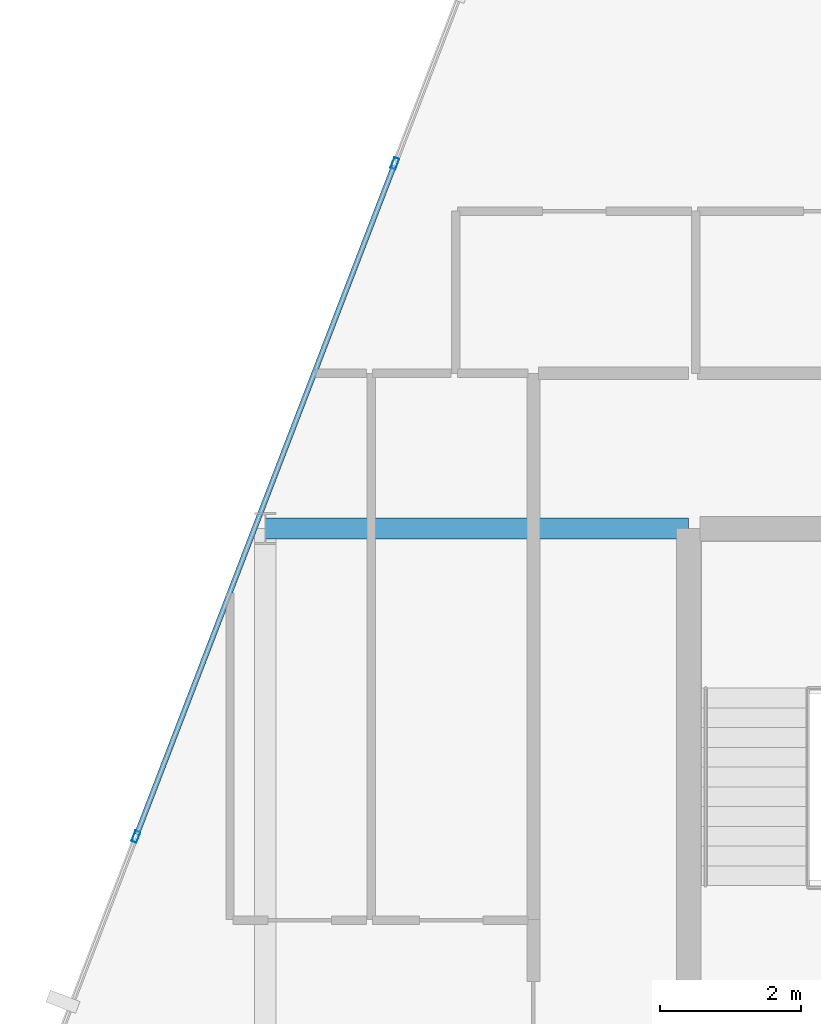
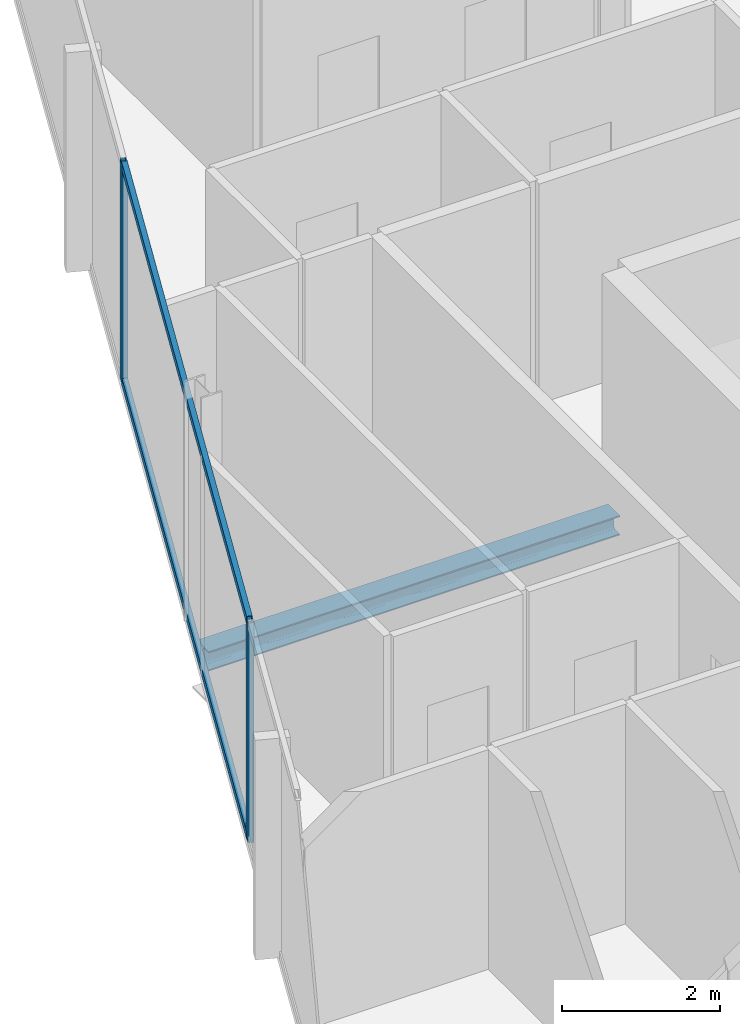
# One storey, part 16 of 29: 4 members, 1 beam, 1 element without a shape of its own.
"""IFC4 building model written with IfcOpenShell, lengths in metres."""

from ifc_helpers import new_model, si_unit, direction, frame, origin, origin_2d, place, context, subcontext, project, spatial, hollow_rectangle, i_section, extrude, material, layer, layer_set, material_profile, profile_set, type_object, element, aggregate, save


model = new_model("IFC4")

# Units and contexts
model_context = context("Model", 3, precision=1e-05, world=origin(), true_north=direction((0.0, 1.0)))
body_context = subcontext(model_context, "Body", "Model", "MODEL_VIEW")
ifc_project = project(units=[si_unit("LENGTHUNIT", "METRE"), si_unit("AREAUNIT", "SQUARE_METRE"), si_unit("VOLUMEUNIT", "CUBIC_METRE"), si_unit("PLANEANGLEUNIT", "RADIAN"), si_unit("MASSUNIT", "GRAM", prefix="KILO")], contexts=[model_context])

# Site, building, storey
site_placement = place(None, origin())
site = spatial("IfcSite", under=ifc_project, at=site_placement, CompositionType="ELEMENT")
building_placement = place(site_placement, origin())
building = spatial("IfcBuilding", under=site, at=building_placement, Name="Keshet Zoharim Tower", CompositionType="ELEMENT")
storey_placement = place(building_placement, frame((0.0, 0.0, 203.199951171875)))
storey = spatial("IfcBuildingStorey", under=building, at=storey_placement, Name="L50", CompositionType="ELEMENT", Elevation=203.199951171875)

# Beam
ifc_material_1 = material(Name="Steel S355", Category="steel")
ifc_material_profile_1 = material_profile(ifc_material_1, i_section(OverallWidth=0.300048828125, OverallDepth=0.300048828125, WebThickness=0.010986328125, FlangeThickness=0.01904296875, FilletRadius=0.027099609375, at=origin_2d()), Name="HEB300")
ifc_profile_set_1 = profile_set([ifc_material_profile_1], Name="Steel S355")
beam_type = type_object("IfcBeamType", Name="BM-PRI-HB300", PredefinedType="BEAM", material=ifc_profile_set_1)
beam_placement = place(storey_placement, frame((9.0, 37.89990234375, -0.4599609375), z_axis=(1.0, 0.0, 0.0), x_axis=(0.0, 1.0, 0.0)))
element("IfcBeam", 1, at=beam_placement, inside=storey, type_object=beam_type, Name="L50 Primary Girder X-017", PredefinedType="BEAM", context=body_context, shape_type="SweptSolid", body=[
    extrude(i_section(OverallWidth=0.300048828125, OverallDepth=0.300048828125, WebThickness=0.010986328125, FlangeThickness=0.01904296875, FilletRadius=0.027099609375, at=origin_2d()), origin(), (0.0, 0.0, 1.0), 6.0),
])

# Curtain wall, members
ifc_material_2 = material(Name="Aluminium 6063-T6", Category="aluminium")
ifc_layer = layer(ifc_material_2, 0.139892578125)
ifc_layer_set = layer_set([ifc_layer], Name="Aluminium 6063-T6")
curtain_wall_type = type_object("IfcCurtainWallType", Name="CW-SYS-05", PredefinedType="NOTDEFINED", material=ifc_layer_set)
curtain_wall_placement = place(storey_placement, origin())
curtain_wall = element("IfcCurtainWall", 2, at=curtain_wall_placement, inside=storey, type_object=curtain_wall_type, Name="L50 Unitised Curtain Wall 13", PredefinedType="NOTDEFINED")
ifc_material_profile_2 = material_profile(ifc_material_2, hollow_rectangle(XDim=0.074951171875, YDim=0.159912109375, WallThickness=0.00390625, at=origin_2d()), Name="MUL-75x160")
ifc_profile_set_2 = profile_set([ifc_material_profile_2], Name="Aluminium 6063-T6")
member_type_1 = type_object("IfcMemberType", Name="CWM-M15", PredefinedType="MULLION", material=ifc_profile_set_2)
member_1_placement = place(storey_placement, frame((7.1669921875, 33.53466796875, 0.0), z_axis=(0.0, 0.0, 1.0), x_axis=(-0.933341404361, 0.358990003907, 0.0)))
member_1 = element("IfcMember", 3, at=member_1_placement, type_object=member_type_1, Name="CW-05 mullion 2", PredefinedType="MULLION", context=body_context, shape_type="SweptSolid", body=[
    extrude(hollow_rectangle(XDim=0.074951171875, YDim=0.159912109375, WallThickness=0.00390625, at=origin_2d()), origin(), (0.0, 0.0, 1.0), 3.39013671875),
])
member_2_placement = place(storey_placement, frame((10.8369140625, 43.076416015625, 0.0), z_axis=(0.0, 0.0, 1.0), x_axis=(-0.933341404361, 0.358990003907, 0.0)))
member_2 = element("IfcMember", 4, at=member_2_placement, type_object=member_type_1, Name="CW-05 mullion 3", PredefinedType="MULLION", context=body_context, shape_type="SweptSolid", body=[
    extrude(hollow_rectangle(XDim=0.074951171875, YDim=0.159912109375, WallThickness=0.00390625, at=origin_2d()), origin(), (0.0, 0.0, 1.0), 3.39013671875),
])
ifc_material_profile_3 = material_profile(ifc_material_2, hollow_rectangle(XDim=0.074951171875, YDim=0.1201171875, WallThickness=0.00390625, at=origin_2d()), Name="TRN-75x120")
ifc_profile_set_3 = profile_set([ifc_material_profile_3], Name="Aluminium 6063-T6")
member_type_2 = type_object("IfcMemberType", Name="CWT-T12", PredefinedType="USERDEFINED", material=ifc_profile_set_3)
member_3_placement = place(storey_placement, frame((7.179443359375, 33.5673828125, 0.03515625), z_axis=(0.359003248899, 0.933336309848, 0.0), x_axis=(-0.933336309848, 0.359003248899, 0.0)))
member_3 = element("IfcMember", 5, at=member_3_placement, type_object=member_type_2, Name="CW-05 transom 2.1", ObjectType="TRANSOM", PredefinedType="USERDEFINED", context=body_context, shape_type="SweptSolid", body=[
    extrude(hollow_rectangle(XDim=0.074951171875, YDim=0.1201171875, WallThickness=0.00390625, at=origin_2d()), origin(), (0.0, 0.0, 1.0), 10.153076171875),
])
member_4_placement = place(storey_placement, frame((7.179443359375, 33.5673828125, 3.35498046875), z_axis=(0.359003248899, 0.933336309848, 0.0), x_axis=(-0.933336309848, 0.359003248899, 0.0)))
member_4 = element("IfcMember", 6, at=member_4_placement, type_object=member_type_2, Name="CW-05 transom 2.2", ObjectType="TRANSOM", PredefinedType="USERDEFINED", context=body_context, shape_type="SweptSolid", body=[
    extrude(hollow_rectangle(XDim=0.074951171875, YDim=0.1201171875, WallThickness=0.00390625, at=origin_2d()), origin(), (0.0, 0.0, 1.0), 10.153076171875),
])
aggregate(curtain_wall, [member_1, member_2, member_3, member_4])

save(model, "model.ifc")
